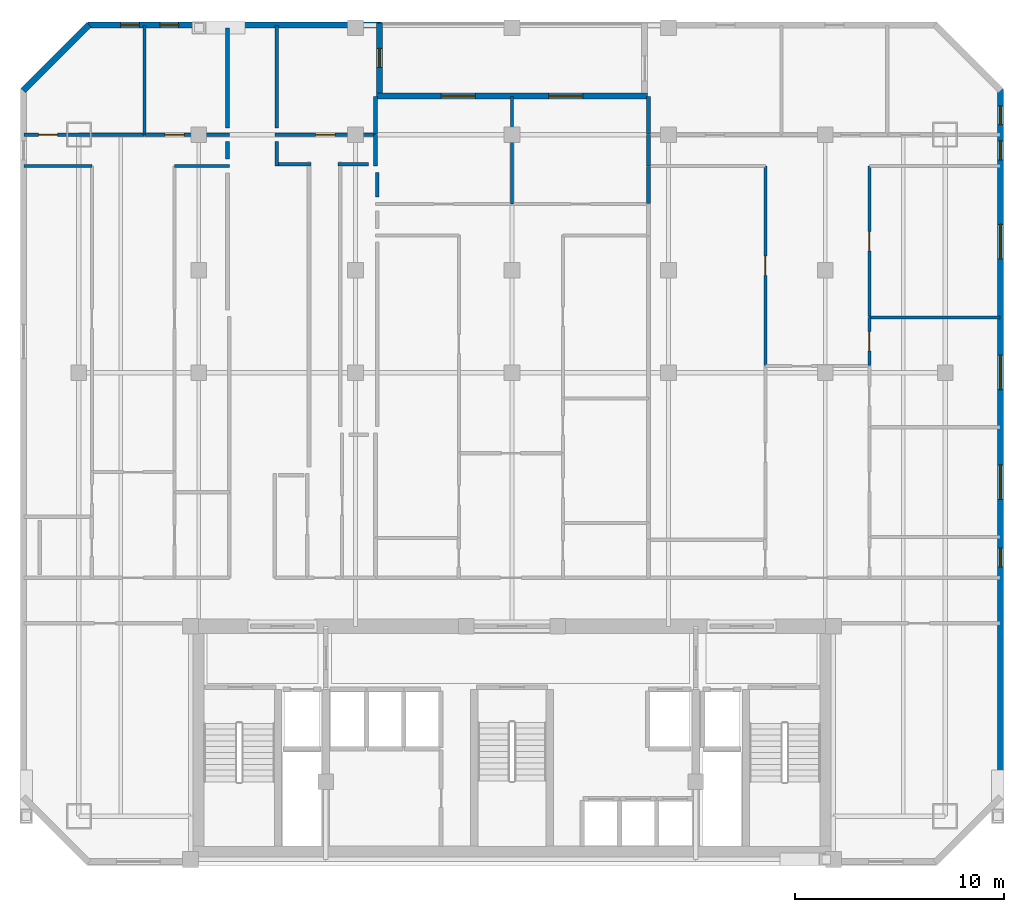
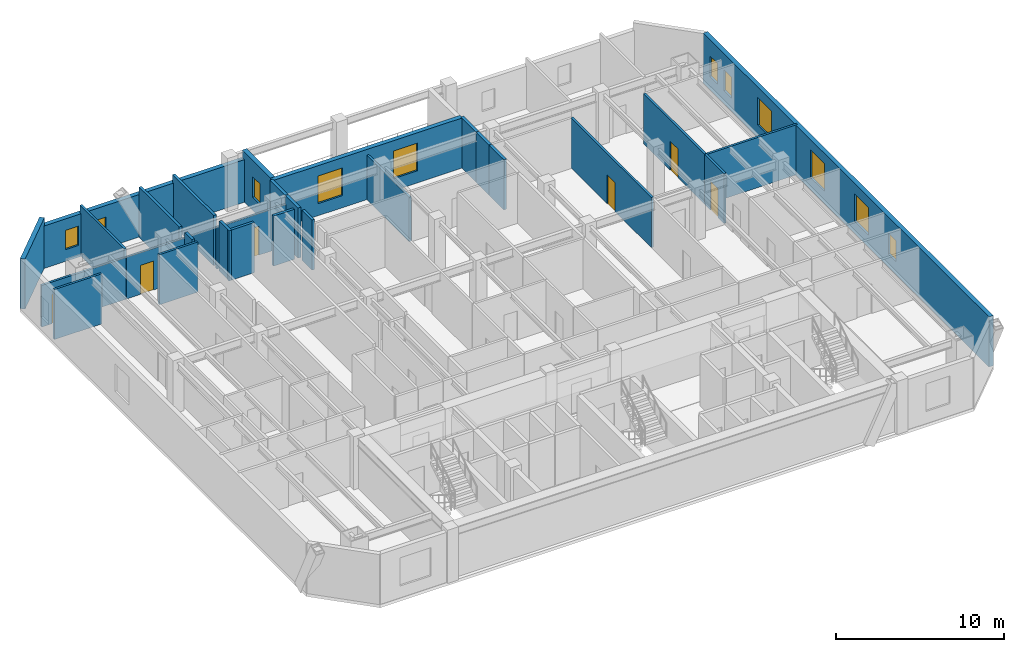
# One storey, part 6 of 8: 28 walls, 11 windows, 6 doors, 17 openings.
"""IFC4 building model written with IfcOpenShell, lengths in metres."""

from ifc_helpers import new_model, si_unit, direction, frame, frame_2d, origin, place, context, subcontext, project, spatial, rectangle, extrude, material, layer, layer_set, type_object, element, fill, save


model = new_model("IFC4")

# Units and contexts
model_context = context("Model", 3, precision=1e-05, world=origin(), true_north=direction((0.0, 1.0)))
body_context = subcontext(model_context, "Body", "Model", "MODEL_VIEW")
ifc_project = project(units=[si_unit("LENGTHUNIT", "METRE"), si_unit("AREAUNIT", "SQUARE_METRE"), si_unit("VOLUMEUNIT", "CUBIC_METRE"), si_unit("PLANEANGLEUNIT", "RADIAN"), si_unit("MASSUNIT", "GRAM", prefix="KILO")], contexts=[model_context])

# Site, building, storey
site_placement = place(None, origin())
site = spatial("IfcSite", under=ifc_project, at=site_placement, CompositionType="ELEMENT")
building_placement = place(site_placement, origin())
building = spatial("IfcBuilding", under=site, at=building_placement, Name="Ventersveld Concourse Tower", CompositionType="ELEMENT")
storey_placement = place(building_placement, frame((0.0, 0.0, 183.699951171875)))
storey = spatial("IfcBuildingStorey", under=building, at=storey_placement, Name="L45", CompositionType="ELEMENT", Elevation=183.699951171875)

# Walls
ifc_material_1 = material(Name="Fire-rated autoclaved aerated masonry blockwork", Category="masonry")
ifc_layer_1 = layer(ifc_material_1, 0.179931640625)
ifc_layer_set_1 = layer_set([ifc_layer_1], Name="Fire-rated autoclaved aerated masonry blockwork")
wall_type_1 = type_object("IfcWallType", Name="WL-CORR-180", PredefinedType="PARTITIONING", material=ifc_layer_set_1)
wall_1_placement = place(storey_placement, frame((15.1201171875, 34.675048828125, 0.0), z_axis=(0.0, 0.0, 1.0), x_axis=(0.0, -1.0, 0.0)))
element("IfcWall", 1, at=wall_1_placement, inside=storey, type_object=wall_type_1, Name="L45 Room Enclosure Wall SP-L45-45NW-LIV", PredefinedType="PARTITIONING", context=body_context, shape_type="SweptSolid", body=[
    extrude(rectangle(XDim=0.85009765625, YDim=0.179931640625, at=frame_2d((0.425048828125, 0.0))), origin(), (0.0, 0.0, 1.0), 3.630126953125),
])
wall_2_placement = place(storey_placement, frame((15.1201171875, 40.10205078125, 0.0), z_axis=(0.0, 0.0, 1.0), x_axis=(0.0, -1.0, 0.0)))
element("IfcWall", 2, at=wall_2_placement, inside=storey, type_object=wall_type_1, Name="L45 Room Enclosure Wall SP-L45-45NW-BR2", PredefinedType="PARTITIONING", context=body_context, shape_type="SweptSolid", body=[
    extrude(rectangle(XDim=4.777099609375, YDim=0.179931640625, at=frame_2d((2.388671875, 0.0))), origin(), (0.0, 0.0, 1.0), 3.630126953125),
])
wall_3_placement = place(storey_placement, frame((19.125, 33.590087890625, 0.0), z_axis=(0.0, 0.0, 1.0), x_axis=(-1.0, 0.0, 0.0)))
element("IfcWall", 3, at=wall_3_placement, inside=storey, type_object=wall_type_1, Name="L45 Room Enclosure Wall SP-L45-45CW-LIV", PredefinedType="PARTITIONING", context=body_context, shape_type="SweptSolid", body=[
    extrude(rectangle(XDim=1.739990234375, YDim=0.179931640625, at=frame_2d((0.8701171875, 0.0))), origin(), (0.0, 0.0, 1.0), 3.630126953125),
])
wall_4_placement = place(storey_placement, frame((17.47998046875, 33.4951171875, 0.0), z_axis=(0.0, 0.0, 1.0), x_axis=(0.0, 1.0, 0.0)))
element("IfcWall", 4, at=wall_4_placement, inside=storey, type_object=wall_type_1, Name="L45 Room Enclosure Wall SP-L45-45CW-LIV", PredefinedType="PARTITIONING", context=body_context, shape_type="SweptSolid", body=[
    extrude(rectangle(XDim=1.179931640625, YDim=0.179931640625, at=frame_2d((0.58984375, 0.0))), origin(), (0.0, 0.0, 1.0), 3.630126953125),
])
wall_5_placement = place(storey_placement, frame((21.885009765625, 33.590087890625, 0.0), z_axis=(0.0, 0.0, 1.0), x_axis=(-1.0, 0.0, 0.0)))
element("IfcWall", 5, at=wall_5_placement, inside=storey, type_object=wall_type_1, Name="L45 Room Enclosure Wall SP-L45-45CW-LIV", PredefinedType="PARTITIONING", context=body_context, shape_type="SweptSolid", body=[
    extrude(rectangle(XDim=1.4599609375, YDim=0.179931640625, at=frame_2d((0.72998046875, 0.0))), origin(), (0.0, 0.0, 1.0), 3.630126953125),
])
wall_6_placement = place(storey_placement, frame((17.47998046875, 35.324951171875, 0.0), z_axis=(0.0, 0.0, 1.0), x_axis=(0.0, 1.0, 0.0)))
element("IfcWall", 6, at=wall_6_placement, inside=storey, type_object=wall_type_1, Name="L45 Room Enclosure Wall SP-L45-45CW-BR1", PredefinedType="PARTITIONING", context=body_context, shape_type="SweptSolid", body=[
    extrude(rectangle(XDim=4.902587890625, YDim=0.179931640625, at=frame_2d((2.451171875, 0.0))), origin(), (0.0, 0.0, 1.0), 3.630126953125),
])
wall_7_placement = place(storey_placement, frame((22.300048828125, 32.0048828125, 0.0), z_axis=(0.0, 0.0, 1.0), x_axis=(0.0, 1.0, 0.0)))
element("IfcWall", 7, at=wall_7_placement, inside=storey, type_object=wall_type_1, Name="L45 Room Enclosure Wall SP-L45-45CM-BR1", PredefinedType="PARTITIONING", context=body_context, shape_type="SweptSolid", body=[
    extrude(rectangle(XDim=1.17529296875, YDim=0.179931640625, at=frame_2d((0.587646484375, 0.0))), origin(), (0.0, 0.0, 1.0), 3.630126953125),
])
ifc_layer_2 = layer(ifc_material_1, 0.199951171875)
ifc_layer_set_2 = layer_set([ifc_layer_2], Name="Fire-rated autoclaved aerated masonry blockwork")
wall_type_2 = type_object("IfcWallType", Name="WL-DEMISE-200", PredefinedType="PARTITIONING", material=ifc_layer_set_2)
wall_8_placement = place(storey_placement, frame((22.2099609375, 33.4951171875, 0.0), z_axis=(0.0, 0.0, 1.0), x_axis=(0.0, 1.0, 0.0)))
element("IfcWall", 8, at=wall_8_placement, inside=storey, type_object=wall_type_2, Name="L45 Interior Partition SP-L45-45CW-LIV-SP-L45-45CM-BR1", PredefinedType="PARTITIONING", context=body_context, shape_type="SweptSolid", body=[
    extrude(rectangle(XDim=1.509765625, YDim=0.199951171875, at=frame_2d((0.7548828125, 0.0))), origin(), (0.0, 0.0, 1.0), 3.630126953125),
])
wall_9_placement = place(storey_placement, frame((22.2099609375, 35.034912109375, 0.0), z_axis=(0.0, 0.0, 1.0), x_axis=(0.0, 1.0, 0.0)))
element("IfcWall", 9, at=wall_9_placement, inside=storey, type_object=wall_type_2, Name="L45 Interior Partition SP-L45-45CW-BR1-SP-L45-45CM-BR1", PredefinedType="PARTITIONING", context=body_context, shape_type="SweptSolid", body=[
    extrude(rectangle(XDim=1.798095703125, YDim=0.199951171875, at=frame_2d((0.89892578125, 0.0))), origin(), (0.0, 0.0, 1.0), 3.630126953125),
])
wall_10_placement = place(storey_placement, frame((35.2900390625, 33.4951171875, 0.0), z_axis=(0.0, 0.0, 1.0), x_axis=(0.0, 1.0, 0.0)))
element("IfcWall", 10, at=wall_10_placement, inside=storey, type_object=wall_type_2, Name="L45 Interior Partition SP-L45-45CE-LIV-SP-L45-45CM-BR2", PredefinedType="PARTITIONING", context=body_context, shape_type="SweptSolid", body=[
    extrude(rectangle(XDim=1.509765625, YDim=0.199951171875, at=frame_2d((0.7548828125, 0.0))), origin(), (0.0, 0.0, 1.0), 3.630126953125),
])
wall_11_placement = place(storey_placement, frame((35.2900390625, 31.715087890625, 0.0), z_axis=(0.0, 0.0, 1.0), x_axis=(0.0, 1.0, 0.0)))
element("IfcWall", 11, at=wall_11_placement, inside=storey, type_object=wall_type_2, Name="L45 Interior Partition SP-L45-45CE-MEDL0-SP-L45-45CM-BR2", PredefinedType="PARTITIONING", context=body_context, shape_type="SweptSolid", body=[
    extrude(rectangle(XDim=1.75, YDim=0.199951171875, at=frame_2d((0.875, 0.0))), origin(), (0.0, 0.0, 1.0), 3.630126953125),
])
wall_12_placement = place(storey_placement, frame((35.2900390625, 35.034912109375, 0.0), z_axis=(0.0, 0.0, 1.0), x_axis=(0.0, 1.0, 0.0)))
element("IfcWall", 12, at=wall_12_placement, inside=storey, type_object=wall_type_2, Name="L45 Interior Partition SP-L45-45CE-BR1-SP-L45-45CM-BR2", PredefinedType="PARTITIONING", context=body_context, shape_type="SweptSolid", body=[
    extrude(rectangle(XDim=1.798095703125, YDim=0.199951171875, at=frame_2d((0.89892578125, 0.0))), origin(), (0.0, 0.0, 1.0), 3.630126953125),
])
ifc_material_2 = material(Name="Autoclaved aerated masonry blockwork", Category="masonry")
ifc_layer_3 = layer(ifc_material_2, 0.14990234375)
ifc_layer_set_3 = layer_set([ifc_layer_3], Name="Autoclaved aerated masonry blockwork")
wall_type_3 = type_object("IfcWallType", Name="WL-INT-150", PredefinedType="PARTITIONING", material=ifc_layer_set_3)
wall_13_placement = place(storey_placement, frame((5.37255859375, 33.5, 0.0), z_axis=(0.0, 0.0, 1.0), x_axis=(1.0, 0.0, 0.0)))
element("IfcWall", 13, at=wall_13_placement, inside=storey, type_object=wall_type_3, Name="L45 Interior Partition SP-L45-45NW-LIV-SP-L45-45NW-MEDL0", PredefinedType="PARTITIONING", context=body_context, shape_type="SweptSolid", body=[
    extrude(rectangle(XDim=3.253662109375, YDim=0.14990234375, at=frame_2d((1.626953125, 0.0))), origin(), (0.0, 0.0, 1.0), 3.630126953125),
])
wall_14_placement = place(storey_placement, frame((12.576416015625, 33.5, 0.0), z_axis=(0.0, 0.0, 1.0), x_axis=(1.0, 0.0, 0.0)))
element("IfcWall", 14, at=wall_14_placement, inside=storey, type_object=wall_type_3, Name="L45 Interior Partition SP-L45-45NW-LIV-SP-L45-45NW-DENR", PredefinedType="PARTITIONING", context=body_context, shape_type="SweptSolid", body=[
    extrude(rectangle(XDim=2.638671875, YDim=0.14990234375, at=frame_2d((1.3193359375, 0.0))), origin(), (0.0, 0.0, 1.0), 3.630126953125),
])

# Wall, opening, door
wall_15_placement = place(storey_placement, frame((5.37255859375, 35.0, 0.0), z_axis=(0.0, 0.0, 1.0), x_axis=(1.0, 0.0, 0.0)))
wall_15 = element("IfcWall", 15, at=wall_15_placement, inside=storey, type_object=wall_type_3, Name="L45 Interior Partition SP-L45-45NW-LIV-SP-L45-45NW-BR1", PredefinedType="PARTITIONING", context=body_context, shape_type="SweptSolid", body=[
    extrude(rectangle(XDim=5.771240234375, YDim=0.14990234375, at=frame_2d((2.8857421875, 0.0))), origin(), (0.0, 0.0, 1.0), 3.012939453125),
])
opening_1_placement = place(wall_15_placement, frame((0.6943359375, 0.0, 0.0)))
opening_1 = element("IfcOpeningElement", 16, at=opening_1_placement, cuts=wall_15, Name="Opening ID1", PredefinedType="OPENING", context=body_context, shape_type="SweptSolid", body=[
    extrude(rectangle(XDim=0.919921875, YDim=2.10009765625, at=frame_2d((0.4599609375, 1.050048828125))), frame((0.0, 0.0849609375, 0.0), z_axis=(0.0, -1.0, 0.0), x_axis=(1.0, 0.0, 0.0)), (0.0, 0.0, 1.0), 0.169921875),
])
ifc_material_3 = material(Name="Solid-core hardwood veneer timber", Category="wood")
door_type = type_object("IfcDoorType", Name="DR-ROOM-092", OperationType="NOTDEFINED", PredefinedType="DOOR", material=ifc_material_3)
door_1_placement = place(opening_1_placement, origin())
door_1 = element("IfcDoor", 17, at=door_1_placement, inside=storey, type_object=door_type, Name="L45 Interior Door SP-L45-45NW-LIV to SP-L45-45NW-BR1 (D-L45-2214)", OperationType="SINGLE_SWING_RIGHT", OverallHeight=2.10009765625, OverallWidth=0.919921875, PredefinedType="DOOR", context=body_context, shape_type="SweptSolid", body=[
    extrude(rectangle(XDim=0.919921875, YDim=2.10009765625, at=frame_2d((0.4599609375, 1.050048828125))), frame((0.0, 0.02490234375, 0.0), z_axis=(0.0, -1.0, 0.0), x_axis=(1.0, 0.0, 0.0)), (0.0, 0.0, 1.0), 0.050048828125),
])
fill(opening_1, door_1)

wall_16_placement = place(storey_placement, frame((11.173828125, 35.0, 0.0), z_axis=(0.0, 0.0, 1.0), x_axis=(1.0, 0.0, 0.0)))
wall_16 = element("IfcWall", 18, at=wall_16_placement, inside=storey, type_object=wall_type_3, Name="L45 Interior Partition SP-L45-45NW-LIV-SP-L45-45NW-BR2", PredefinedType="PARTITIONING", context=body_context, shape_type="SweptSolid", body=[
    extrude(rectangle(XDim=4.041259765625, YDim=0.14990234375, at=frame_2d((2.0205078125, 0.0))), origin(), (0.0, 0.0, 1.0), 3.012939453125),
])
opening_2_placement = place(wall_16_placement, frame((0.954345703125, 0.0, 0.0)))
opening_2 = element("IfcOpeningElement", 19, at=opening_2_placement, cuts=wall_16, Name="Opening ID1", PredefinedType="OPENING", context=body_context, shape_type="SweptSolid", body=[
    extrude(rectangle(XDim=0.919921875, YDim=2.10009765625, at=frame_2d((0.4599609375, 1.050048828125))), frame((0.0, 0.0849609375, 0.0), z_axis=(0.0, -1.0, 0.0), x_axis=(1.0, 0.0, 0.0)), (0.0, 0.0, 1.0), 0.169921875),
])
door_2_placement = place(opening_2_placement, origin())
door_2 = element("IfcDoor", 20, at=door_2_placement, inside=storey, type_object=door_type, Name="L45 Interior Door SP-L45-45NW-LIV to SP-L45-45NW-BR2 (D-L45-2215)", OperationType="SINGLE_SWING_LEFT", OverallHeight=2.10009765625, OverallWidth=0.919921875, PredefinedType="DOOR", context=body_context, shape_type="SweptSolid", body=[
    extrude(rectangle(XDim=0.919921875, YDim=2.10009765625, at=frame_2d((0.4599609375, 1.050048828125))), frame((0.0, 0.02490234375, 0.0), z_axis=(0.0, -1.0, 0.0), x_axis=(1.0, 0.0, 0.0)), (0.0, 0.0, 1.0), 0.050048828125),
])
fill(opening_2, door_2)

# Wall
wall_17_placement = place(storey_placement, frame((11.138916015625, 34.9951171875, 0.0), z_axis=(0.0, 0.0, 1.0), x_axis=(0.0, 1.0, 0.0)))
element("IfcWall", 21, at=wall_17_placement, inside=storey, type_object=wall_type_3, Name="L45 Interior Partition SP-L45-45NW-BR1-SP-L45-45NW-BR2", PredefinedType="PARTITIONING", context=body_context, shape_type="SweptSolid", body=[
    extrude(rectangle(XDim=5.232421875, YDim=0.14990234375, at=frame_2d((2.6162109375, 0.0))), origin(), (0.0, 0.0, 1.0), 3.630126953125),
])

# Wall, opening, door
wall_18_placement = place(storey_placement, frame((17.385009765625, 35.0, 0.0), z_axis=(0.0, 0.0, 1.0), x_axis=(1.0, 0.0, 0.0)))
wall_18 = element("IfcWall", 22, at=wall_18_placement, inside=storey, type_object=wall_type_3, Name="L45 Interior Partition SP-L45-45CW-LIV-SP-L45-45CW-BR1", PredefinedType="PARTITIONING", context=body_context, shape_type="SweptSolid", body=[
    extrude(rectangle(XDim=4.830078125, YDim=0.14990234375, at=frame_2d((2.4150390625, 0.0))), origin(), (0.0, 0.0, 1.0), 3.012939453125),
])
opening_3_placement = place(wall_18_placement, frame((1.955078125, 0.0, 0.0)))
opening_3 = element("IfcOpeningElement", 23, at=opening_3_placement, cuts=wall_18, Name="Opening ID1", PredefinedType="OPENING", context=body_context, shape_type="SweptSolid", body=[
    extrude(rectangle(XDim=0.919921875, YDim=2.10009765625, at=frame_2d((0.4599609375, 1.050048828125))), frame((0.0, 0.0849609375, 0.0), z_axis=(0.0, -1.0, 0.0), x_axis=(1.0, 0.0, 0.0)), (0.0, 0.0, 1.0), 0.169921875),
])
door_3_placement = place(opening_3_placement, origin())
door_3 = element("IfcDoor", 24, at=door_3_placement, inside=storey, type_object=door_type, Name="L45 Interior Door SP-L45-45CW-LIV to SP-L45-45CW-BR1 (D-L45-2218)", OperationType="SINGLE_SWING_RIGHT", OverallHeight=2.10009765625, OverallWidth=0.919921875, PredefinedType="DOOR", context=body_context, shape_type="SweptSolid", body=[
    extrude(rectangle(XDim=0.919921875, YDim=2.10009765625, at=frame_2d((0.4599609375, 1.050048828125))), frame((0.0, 0.02490234375, 0.0), z_axis=(0.0, -1.0, 0.0), x_axis=(1.0, 0.0, 0.0)), (0.0, 0.0, 1.0), 0.050048828125),
])
fill(opening_3, door_3)

wall_19_placement = place(storey_placement, frame((40.889892578125, 23.9482421875, 0.0), z_axis=(0.0, 0.0, 1.0), x_axis=(0.0, 1.0, 0.0)))
wall_19 = element("IfcWall", 25, at=wall_19_placement, inside=storey, type_object=wall_type_3, Name="L45 Interior Partition SP-L45-45CE-LIV-SP-L45-45CE-MEDL0", PredefinedType="PARTITIONING", context=body_context, shape_type="SweptSolid", body=[
    extrude(rectangle(XDim=9.556640625, YDim=0.14990234375, at=frame_2d((4.7783203125, 0.0))), origin(), (0.0, 0.0, 1.0), 3.630126953125),
])
opening_4_placement = place(wall_19_placement, frame((4.318359375, 0.0, 0.0)))
opening_4 = element("IfcOpeningElement", 26, at=opening_4_placement, cuts=wall_19, Name="Opening ID1", PredefinedType="OPENING", context=body_context, shape_type="SweptSolid", body=[
    extrude(rectangle(XDim=0.919921875, YDim=2.10009765625, at=frame_2d((0.4599609375, 1.050048828125))), frame((0.0, 0.0849609375, 0.0), z_axis=(0.0, -1.0, 0.0), x_axis=(1.0, 0.0, 0.0)), (0.0, 0.0, 1.0), 0.169921875),
])
door_4_placement = place(opening_4_placement, origin())
door_4 = element("IfcDoor", 27, at=door_4_placement, inside=storey, type_object=door_type, Name="L45 Interior Door SP-L45-45CE-LIV to SP-L45-45CE-MEDL0 (D-L45-2225)", OperationType="SINGLE_SWING_LEFT", OverallHeight=2.10009765625, OverallWidth=0.919921875, PredefinedType="DOOR", context=body_context, shape_type="SweptSolid", body=[
    extrude(rectangle(XDim=0.919921875, YDim=2.10009765625, at=frame_2d((0.4599609375, 1.050048828125))), frame((0.0, 0.02490234375, 0.0), z_axis=(0.0, -1.0, 0.0), x_axis=(1.0, 0.0, 0.0)), (0.0, 0.0, 1.0), 0.050048828125),
])
fill(opening_4, door_4)

wall_20_placement = place(storey_placement, frame((45.8701171875, 23.9482421875, 0.0), z_axis=(0.0, 0.0, 1.0), x_axis=(0.0, 1.0, 0.0)))
wall_20 = element("IfcWall", 28, at=wall_20_placement, inside=storey, type_object=wall_type_3, Name="L45 Interior Partition SP-L45-45CE-LIV-SP-L45-45CE-DENS", PredefinedType="PARTITIONING", context=body_context, shape_type="SweptSolid", body=[
    extrude(rectangle(XDim=2.305419921875, YDim=0.14990234375, at=frame_2d((1.15283203125, 0.0))), origin(), (0.0, 0.0, 1.0), 3.630126953125),
])
opening_5_placement = place(wall_20_placement, frame((0.692626953125, 0.0, 0.0)))
opening_5 = element("IfcOpeningElement", 29, at=opening_5_placement, cuts=wall_20, Name="Opening ID1", PredefinedType="OPENING", context=body_context, shape_type="SweptSolid", body=[
    extrude(rectangle(XDim=0.919921875, YDim=2.10009765625, at=frame_2d((0.4599609375, 1.050048828125))), frame((0.0, 0.0849609375, 0.0), z_axis=(0.0, -1.0, 0.0), x_axis=(1.0, 0.0, 0.0)), (0.0, 0.0, 1.0), 0.169921875),
])
door_5_placement = place(opening_5_placement, origin())
door_5 = element("IfcDoor", 30, at=door_5_placement, inside=storey, type_object=door_type, Name="L45 Interior Door SP-L45-45CE-LIV to SP-L45-45CE-DENS (D-L45-2226)", OperationType="SINGLE_SWING_RIGHT", OverallHeight=2.10009765625, OverallWidth=0.919921875, PredefinedType="DOOR", context=body_context, shape_type="SweptSolid", body=[
    extrude(rectangle(XDim=0.919921875, YDim=2.10009765625, at=frame_2d((0.4599609375, 1.050048828125))), frame((0.0, 0.02490234375, 0.0), z_axis=(0.0, -1.0, 0.0), x_axis=(1.0, 0.0, 0.0)), (0.0, 0.0, 1.0), 0.050048828125),
])
fill(opening_5, door_5)

wall_21_placement = place(storey_placement, frame((45.8701171875, 26.28369140625, 0.0), z_axis=(0.0, 0.0, 1.0), x_axis=(0.0, 1.0, 0.0)))
wall_21 = element("IfcWall", 31, at=wall_21_placement, inside=storey, type_object=wall_type_3, Name="L45 Interior Partition SP-L45-45CE-LIV-SP-L45-45CE-DENS2", PredefinedType="PARTITIONING", context=body_context, shape_type="SweptSolid", body=[
    extrude(rectangle(XDim=7.22119140625, YDim=0.14990234375, at=frame_2d((3.610595703125, 0.0))), origin(), (0.0, 0.0, 1.0), 3.630126953125),
])
opening_6_placement = place(wall_21_placement, frame((3.150634765625, 0.0, 0.0)))
opening_6 = element("IfcOpeningElement", 32, at=opening_6_placement, cuts=wall_21, Name="Opening ID1", PredefinedType="OPENING", context=body_context, shape_type="SweptSolid", body=[
    extrude(rectangle(XDim=0.919921875, YDim=2.10009765625, at=frame_2d((0.4599609375, 1.050048828125))), frame((0.0, 0.0849609375, 0.0), z_axis=(0.0, -1.0, 0.0), x_axis=(1.0, 0.0, 0.0)), (0.0, 0.0, 1.0), 0.169921875),
])
door_6_placement = place(opening_6_placement, origin())
door_6 = element("IfcDoor", 33, at=door_6_placement, inside=storey, type_object=door_type, Name="L45 Interior Door SP-L45-45CE-LIV to SP-L45-45CE-DENS2 (D-L45-2227)", OperationType="SINGLE_SWING_LEFT", OverallHeight=2.10009765625, OverallWidth=0.919921875, PredefinedType="DOOR", context=body_context, shape_type="SweptSolid", body=[
    extrude(rectangle(XDim=0.919921875, YDim=2.10009765625, at=frame_2d((0.4599609375, 1.050048828125))), frame((0.0, 0.02490234375, 0.0), z_axis=(0.0, -1.0, 0.0), x_axis=(1.0, 0.0, 0.0)), (0.0, 0.0, 1.0), 0.050048828125),
])
fill(opening_6, door_6)

# Walls
wall_22_placement = place(storey_placement, frame((45.864990234375, 26.24853515625, 0.0), z_axis=(0.0, 0.0, 1.0), x_axis=(1.0, 0.0, 0.0)))
element("IfcWall", 34, at=wall_22_placement, inside=storey, type_object=wall_type_3, Name="L45 Interior Partition SP-L45-45CE-DENS-SP-L45-45CE-DENS2", PredefinedType="PARTITIONING", context=body_context, shape_type="SweptSolid", body=[
    extrude(rectangle(XDim=6.262451171875, YDim=0.14990234375, at=frame_2d((3.13134765625, 0.0))), origin(), (0.0, 0.0, 1.0), 3.630126953125),
])
wall_23_placement = place(storey_placement, frame((28.75, 31.675048828125, 0.0), z_axis=(0.0, 0.0, 1.0), x_axis=(0.0, 1.0, 0.0)))
element("IfcWall", 35, at=wall_23_placement, inside=storey, type_object=wall_type_3, Name="L45 Interior Partition SP-L45-45CM-BR1-SP-L45-45CM-BR2", PredefinedType="PARTITIONING", context=body_context, shape_type="SweptSolid", body=[
    extrude(rectangle(XDim=5.15234375, YDim=0.14990234375, at=frame_2d((2.576171875, 0.0))), origin(), (0.0, 0.0, 1.0), 3.2236328125),
])

# Wall, openings, windows
ifc_material_4 = material(Name="Precast concrete C45/55", Category="concrete")
ifc_layer_4 = layer(ifc_material_4, 0.300048828125)
ifc_layer_set_4 = layer_set([ifc_layer_4], Name="Precast concrete C45/55")
wall_type_4 = type_object("IfcWallType", Name="WL-PREC-300", PredefinedType="SOLIDWALL", material=ifc_layer_set_4)
wall_24_placement = place(storey_placement, frame((52.14990234375, 3.239990234375, 0.0), z_axis=(0.0, 0.0, 1.0), x_axis=(0.0, 1.0, 0.0)))
wall_24 = element("IfcWall", 36, at=wall_24_placement, inside=storey, type_object=wall_type_4, Name="L45 Highveld Precast Facade Wall E03", PredefinedType="SOLIDWALL", context=body_context, shape_type="SweptSolid", body=[
    extrude(rectangle(XDim=33.919921875, YDim=0.300048828125, at=frame_2d((16.9599609375, 0.0))), origin(), (0.0, 0.0, 1.0), 3.630126953125),
])
opening_7_placement = place(wall_24_placement, frame((30.56005859375, 0.0, 0.949951171875)))
opening_7 = element("IfcOpeningElement", 37, at=opening_7_placement, cuts=wall_24, Name="Opening W4", PredefinedType="OPENING", context=body_context, shape_type="SweptSolid", body=[
    extrude(rectangle(XDim=0.89990234375, YDim=1.5, at=frame_2d((0.449951171875, 0.75))), frame((0.0, 0.16015625, 0.0), z_axis=(0.0, -1.0, 0.0), x_axis=(1.0, 0.0, 0.0)), (0.0, 0.0, 1.0), 0.320068359375),
])
opening_8_placement = place(wall_24_placement, frame((11.0556640625, 0.0, 0.949951171875)))
opening_8 = element("IfcOpeningElement", 38, at=opening_8_placement, cuts=wall_24, Name="Opening W4", PredefinedType="OPENING", context=body_context, shape_type="SweptSolid", body=[
    extrude(rectangle(XDim=0.89990234375, YDim=1.5, at=frame_2d((0.449951171875, 0.75))), frame((0.0, 0.16015625, 0.0), z_axis=(0.0, -1.0, 0.0), x_axis=(1.0, 0.0, 0.0)), (0.0, 0.0, 1.0), 0.320068359375),
])
opening_9_placement = place(wall_24_placement, frame((14.2880859375, 0.0, 0.8798828125)))
opening_9 = element("IfcOpeningElement", 39, at=opening_9_placement, cuts=wall_24, Name="Opening W6", PredefinedType="OPENING", context=body_context, shape_type="SweptSolid", body=[
    extrude(rectangle(XDim=1.64990234375, YDim=2.0, at=frame_2d((0.824951171875, 1.0))), frame((0.0, 0.16015625, 0.0), z_axis=(0.0, -1.0, 0.0), x_axis=(1.0, 0.0, 0.0)), (0.0, 0.0, 1.0), 0.320068359375),
])
opening_10_placement = place(wall_24_placement, frame((19.5517578125, 0.0, 0.8798828125)))
opening_10 = element("IfcOpeningElement", 40, at=opening_10_placement, cuts=wall_24, Name="Opening W6", PredefinedType="OPENING", context=body_context, shape_type="SweptSolid", body=[
    extrude(rectangle(XDim=1.64990234375, YDim=2.0, at=frame_2d((0.824951171875, 1.0))), frame((0.0, 0.16015625, 0.0), z_axis=(0.0, -1.0, 0.0), x_axis=(1.0, 0.0, 0.0)), (0.0, 0.0, 1.0), 0.320068359375),
])
opening_11_placement = place(wall_24_placement, frame((25.809326171875, 0.0, 0.8798828125)))
opening_11 = element("IfcOpeningElement", 41, at=opening_11_placement, cuts=wall_24, Name="Opening W6", PredefinedType="OPENING", context=body_context, shape_type="SweptSolid", body=[
    extrude(rectangle(XDim=1.64990234375, YDim=2.0, at=frame_2d((0.824951171875, 1.0))), frame((0.0, 0.16015625, 0.0), z_axis=(0.0, -1.0, 0.0), x_axis=(1.0, 0.0, 0.0)), (0.0, 0.0, 1.0), 0.320068359375),
])
opening_12_placement = place(wall_24_placement, frame((32.239990234375, 0.0, 0.949951171875)))
opening_12 = element("IfcOpeningElement", 42, at=opening_12_placement, cuts=wall_24, Name="Opening W4", PredefinedType="OPENING", context=body_context, shape_type="SweptSolid", body=[
    extrude(rectangle(XDim=0.89990234375, YDim=1.5, at=frame_2d((0.449951171875, 0.75))), frame((0.0, 0.16015625, 0.0), z_axis=(0.0, -1.0, 0.0), x_axis=(1.0, 0.0, 0.0)), (0.0, 0.0, 1.0), 0.320068359375),
])
ifc_material_5 = material(Name="Tempered acoustic Low-E IGU", Category="glass")
window_type_1 = type_object("IfcWindowType", Name="WIN-090x150", PartitioningType="SINGLE_PANEL", PredefinedType="WINDOW", material=ifc_material_5)
window_1_placement = place(opening_7_placement, origin())
window_1 = element("IfcWindow", 43, at=window_1_placement, inside=storey, type_object=window_type_1, Name="L45 Punched Low-E Window W-0626", OverallHeight=1.5, OverallWidth=0.89990234375, PartitioningType="SINGLE_PANEL", PredefinedType="WINDOW", context=body_context, shape_type="SweptSolid", body=[
    extrude(rectangle(XDim=0.89990234375, YDim=1.5, at=frame_2d((0.449951171875, 0.75))), frame((0.0, 0.030029296875, 0.0), z_axis=(0.0, -1.0, 0.0), x_axis=(1.0, 0.0, 0.0)), (0.0, 0.0, 1.0), 0.06005859375),
])
fill(opening_7, window_1)
window_2_placement = place(opening_8_placement, origin())
window_2 = element("IfcWindow", 44, at=window_2_placement, inside=storey, type_object=window_type_1, Name="L45 Punched Low-E Window W-0627", OverallHeight=1.5, OverallWidth=0.89990234375, PartitioningType="SINGLE_PANEL", PredefinedType="WINDOW", context=body_context, shape_type="SweptSolid", body=[
    extrude(rectangle(XDim=0.89990234375, YDim=1.5, at=frame_2d((0.449951171875, 0.75))), frame((0.0, 0.030029296875, 0.0), z_axis=(0.0, -1.0, 0.0), x_axis=(1.0, 0.0, 0.0)), (0.0, 0.0, 1.0), 0.06005859375),
])
fill(opening_8, window_2)
window_3_placement = place(opening_12_placement, origin())
window_3 = element("IfcWindow", 45, at=window_3_placement, inside=storey, type_object=window_type_1, Name="L45 Punched Low-E Window W-0633", OverallHeight=1.5, OverallWidth=0.89990234375, PartitioningType="SINGLE_PANEL", PredefinedType="WINDOW", context=body_context, shape_type="SweptSolid", body=[
    extrude(rectangle(XDim=0.89990234375, YDim=1.5, at=frame_2d((0.449951171875, 0.75))), frame((0.0, 0.030029296875, 0.0), z_axis=(0.0, -1.0, 0.0), x_axis=(1.0, 0.0, 0.0)), (0.0, 0.0, 1.0), 0.06005859375),
])
fill(opening_12, window_3)
window_type_2 = type_object("IfcWindowType", Name="WIN-165x200", PartitioningType="SINGLE_PANEL", PredefinedType="WINDOW", material=ifc_material_5)
window_4_placement = place(opening_9_placement, origin())
window_4 = element("IfcWindow", 46, at=window_4_placement, inside=storey, type_object=window_type_2, Name="L45 Punched Low-E Window W-0628", OverallHeight=2.0, OverallWidth=1.64990234375, PartitioningType="SINGLE_PANEL", PredefinedType="WINDOW", context=body_context, shape_type="SweptSolid", body=[
    extrude(rectangle(XDim=1.64990234375, YDim=2.0, at=frame_2d((0.824951171875, 1.0))), frame((0.0, 0.030029296875, 0.0), z_axis=(0.0, -1.0, 0.0), x_axis=(1.0, 0.0, 0.0)), (0.0, 0.0, 1.0), 0.06005859375),
])
fill(opening_9, window_4)
window_5_placement = place(opening_10_placement, origin())
window_5 = element("IfcWindow", 47, at=window_5_placement, inside=storey, type_object=window_type_2, Name="L45 Punched Low-E Window W-0629", OverallHeight=2.0, OverallWidth=1.64990234375, PartitioningType="SINGLE_PANEL", PredefinedType="WINDOW", context=body_context, shape_type="SweptSolid", body=[
    extrude(rectangle(XDim=1.64990234375, YDim=2.0, at=frame_2d((0.824951171875, 1.0))), frame((0.0, 0.030029296875, 0.0), z_axis=(0.0, -1.0, 0.0), x_axis=(1.0, 0.0, 0.0)), (0.0, 0.0, 1.0), 0.06005859375),
])
fill(opening_10, window_5)
window_6_placement = place(opening_11_placement, origin())
window_6 = element("IfcWindow", 48, at=window_6_placement, inside=storey, type_object=window_type_2, Name="L45 Punched Low-E Window W-0630", OverallHeight=2.0, OverallWidth=1.64990234375, PartitioningType="SINGLE_PANEL", PredefinedType="WINDOW", context=body_context, shape_type="SweptSolid", body=[
    extrude(rectangle(XDim=1.64990234375, YDim=2.0, at=frame_2d((0.824951171875, 1.0))), frame((0.0, 0.030029296875, 0.0), z_axis=(0.0, -1.0, 0.0), x_axis=(1.0, 0.0, 0.0)), (0.0, 0.0, 1.0), 0.06005859375),
])
fill(opening_11, window_6)

wall_25_placement = place(storey_placement, frame((35.25, 36.85009765625, 0.0), z_axis=(0.0, 0.0, 1.0), x_axis=(-1.0, 0.0, 0.0)))
wall_25 = element("IfcWall", 49, at=wall_25_placement, inside=storey, type_object=wall_type_4, Name="L45 Highveld Precast Facade Wall E07", PredefinedType="SOLIDWALL", context=body_context, shape_type="SweptSolid", body=[
    extrude(rectangle(XDim=13.0, YDim=0.300048828125, at=frame_2d((6.5, 0.0))), origin(), (0.0, 0.0, 1.0), 3.630126953125),
])
opening_13_placement = place(wall_25_placement, frame((8.250732421875, 0.0, 0.8798828125)))
opening_13 = element("IfcOpeningElement", 50, at=opening_13_placement, cuts=wall_25, Name="Opening W6", PredefinedType="OPENING", context=body_context, shape_type="SweptSolid", body=[
    extrude(rectangle(XDim=1.64990234375, YDim=2.0, at=frame_2d((0.824951171875, 1.0))), frame((0.0, 0.16015625, 0.0), z_axis=(0.0, -1.0, 0.0), x_axis=(1.0, 0.0, 0.0)), (0.0, 0.0, 1.0), 0.320068359375),
])
opening_14_placement = place(wall_25_placement, frame((3.099365234375, 0.0, 0.8798828125)))
opening_14 = element("IfcOpeningElement", 51, at=opening_14_placement, cuts=wall_25, Name="Opening W6", PredefinedType="OPENING", context=body_context, shape_type="SweptSolid", body=[
    extrude(rectangle(XDim=1.64990234375, YDim=2.0, at=frame_2d((0.824951171875, 1.0))), frame((0.0, 0.16015625, 0.0), z_axis=(0.0, -1.0, 0.0), x_axis=(1.0, 0.0, 0.0)), (0.0, 0.0, 1.0), 0.320068359375),
])
window_7_placement = place(opening_13_placement, origin())
window_7 = element("IfcWindow", 52, at=window_7_placement, inside=storey, type_object=window_type_2, Name="L45 Punched Low-E Window W-0634", OverallHeight=2.0, OverallWidth=1.64990234375, PartitioningType="SINGLE_PANEL", PredefinedType="WINDOW", context=body_context, shape_type="SweptSolid", body=[
    extrude(rectangle(XDim=1.64990234375, YDim=2.0, at=frame_2d((0.824951171875, 1.0))), frame((0.0, 0.030029296875, 0.0), z_axis=(0.0, -1.0, 0.0), x_axis=(1.0, 0.0, 0.0)), (0.0, 0.0, 1.0), 0.06005859375),
])
fill(opening_13, window_7)
window_8_placement = place(opening_14_placement, origin())
window_8 = element("IfcWindow", 53, at=window_8_placement, inside=storey, type_object=window_type_2, Name="L45 Punched Low-E Window W-0635", OverallHeight=2.0, OverallWidth=1.64990234375, PartitioningType="SINGLE_PANEL", PredefinedType="WINDOW", context=body_context, shape_type="SweptSolid", body=[
    extrude(rectangle(XDim=1.64990234375, YDim=2.0, at=frame_2d((0.824951171875, 1.0))), frame((0.0, 0.030029296875, 0.0), z_axis=(0.0, -1.0, 0.0), x_axis=(1.0, 0.0, 0.0)), (0.0, 0.0, 1.0), 0.06005859375),
])
fill(opening_14, window_8)

# Wall, opening, window
wall_26_placement = place(storey_placement, frame((22.39990234375, 37.0, 0.0), z_axis=(0.0, 0.0, 1.0), x_axis=(0.0, 1.0, 0.0)))
wall_26 = element("IfcWall", 54, at=wall_26_placement, inside=storey, type_object=wall_type_4, Name="L45 Highveld Precast Facade Wall E08", PredefinedType="SOLIDWALL", context=body_context, shape_type="SweptSolid", body=[
    extrude(rectangle(XDim=3.360107421875, YDim=0.300048828125, at=frame_2d((1.68017578125, 0.0))), origin(), (0.0, 0.0, 1.0), 3.630126953125),
])
opening_15_placement = place(wall_26_placement, frame((1.22998046875, 0.0, 0.949951171875)))
opening_15 = element("IfcOpeningElement", 55, at=opening_15_placement, cuts=wall_26, Name="Opening W4", PredefinedType="OPENING", context=body_context, shape_type="SweptSolid", body=[
    extrude(rectangle(XDim=0.89990234375, YDim=1.5, at=frame_2d((0.449951171875, 0.75))), frame((0.0, 0.16015625, 0.0), z_axis=(0.0, -1.0, 0.0), x_axis=(1.0, 0.0, 0.0)), (0.0, 0.0, 1.0), 0.320068359375),
])
window_9_placement = place(opening_15_placement, origin())
window_9 = element("IfcWindow", 56, at=window_9_placement, inside=storey, type_object=window_type_1, Name="L45 Punched Low-E Window W-0625", OverallHeight=1.5, OverallWidth=0.89990234375, PartitioningType="SINGLE_PANEL", PredefinedType="WINDOW", context=body_context, shape_type="SweptSolid", body=[
    extrude(rectangle(XDim=0.89990234375, YDim=1.5, at=frame_2d((0.449951171875, 0.75))), frame((0.0, 0.030029296875, 0.0), z_axis=(0.0, -1.0, 0.0), x_axis=(1.0, 0.0, 0.0)), (0.0, 0.0, 1.0), 0.06005859375),
])
fill(opening_15, window_9)

# Wall, openings, windows
wall_27_placement = place(storey_placement, frame((22.510009765625, 40.25, 0.0), z_axis=(0.0, 0.0, 1.0), x_axis=(-1.0, 0.0, 0.0)))
wall_27 = element("IfcWall", 57, at=wall_27_placement, inside=storey, type_object=wall_type_4, Name="L45 Highveld Precast Facade Wall E09", PredefinedType="SOLIDWALL", context=body_context, shape_type="SweptSolid", body=[
    extrude(rectangle(XDim=14.070068359375, YDim=0.300048828125, at=frame_2d((7.03515625, 0.0))), origin(), (0.0, 0.0, 1.0), 3.08544921875),
])
opening_16_placement = place(wall_27_placement, frame((11.614501953125, 0.0, 0.85009765625)))
opening_16 = element("IfcOpeningElement", 58, at=opening_16_placement, cuts=wall_27, Name="Opening W8", PredefinedType="OPENING", context=body_context, shape_type="SweptSolid", body=[
    extrude(rectangle(XDim=0.89990234375, YDim=1.39990234375, at=frame_2d((0.449951171875, 0.699951171875))), frame((0.0, 0.16015625, 0.0), z_axis=(0.0, -1.0, 0.0), x_axis=(1.0, 0.0, 0.0)), (0.0, 0.0, 1.0), 0.320068359375),
])
opening_17_placement = place(wall_27_placement, frame((9.72509765625, 0.0, 0.85009765625)))
opening_17 = element("IfcOpeningElement", 59, at=opening_17_placement, cuts=wall_27, Name="Opening W8", PredefinedType="OPENING", context=body_context, shape_type="SweptSolid", body=[
    extrude(rectangle(XDim=0.89990234375, YDim=1.39990234375, at=frame_2d((0.449951171875, 0.699951171875))), frame((0.0, 0.16015625, 0.0), z_axis=(0.0, -1.0, 0.0), x_axis=(1.0, 0.0, 0.0)), (0.0, 0.0, 1.0), 0.320068359375),
])
window_type_3 = type_object("IfcWindowType", Name="WIN-090x140", PartitioningType="SINGLE_PANEL", PredefinedType="WINDOW", material=ifc_material_5)
window_10_placement = place(opening_16_placement, origin())
window_10 = element("IfcWindow", 60, at=window_10_placement, inside=storey, type_object=window_type_3, Name="L45 Punched Low-E Window W-0623", OverallHeight=1.39990234375, OverallWidth=0.89990234375, PartitioningType="SINGLE_PANEL", PredefinedType="WINDOW", context=body_context, shape_type="SweptSolid", body=[
    extrude(rectangle(XDim=0.89990234375, YDim=1.39990234375, at=frame_2d((0.449951171875, 0.699951171875))), frame((0.0, 0.030029296875, 0.0), z_axis=(0.0, -1.0, 0.0), x_axis=(1.0, 0.0, 0.0)), (0.0, 0.0, 1.0), 0.06005859375),
])
fill(opening_16, window_10)
window_11_placement = place(opening_17_placement, origin())
window_11 = element("IfcWindow", 61, at=window_11_placement, inside=storey, type_object=window_type_3, Name="L45 Punched Low-E Window W-0624", OverallHeight=1.39990234375, OverallWidth=0.89990234375, PartitioningType="SINGLE_PANEL", PredefinedType="WINDOW", context=body_context, shape_type="SweptSolid", body=[
    extrude(rectangle(XDim=0.89990234375, YDim=1.39990234375, at=frame_2d((0.449951171875, 0.699951171875))), frame((0.0, 0.030029296875, 0.0), z_axis=(0.0, -1.0, 0.0), x_axis=(1.0, 0.0, 0.0)), (0.0, 0.0, 1.0), 0.06005859375),
])
fill(opening_17, window_11)

# Wall
wall_28_placement = place(storey_placement, frame((8.477783203125, 40.265625, 0.0), z_axis=(0.0, 0.0, 1.0), x_axis=(-0.707106781187, -0.707106781187, 0.0)))
element("IfcWall", 62, at=wall_28_placement, inside=storey, type_object=wall_type_4, Name="L45 Highveld Precast Facade Wall E10", PredefinedType="SOLIDWALL", context=body_context, shape_type="SweptSolid", body=[
    extrude(rectangle(XDim=4.4453125, YDim=0.300048828125, at=frame_2d((2.22265625, 0.0))), origin(), (0.0, 0.0, 1.0), 3.630126953125),
])

save(model, "model.ifc")
